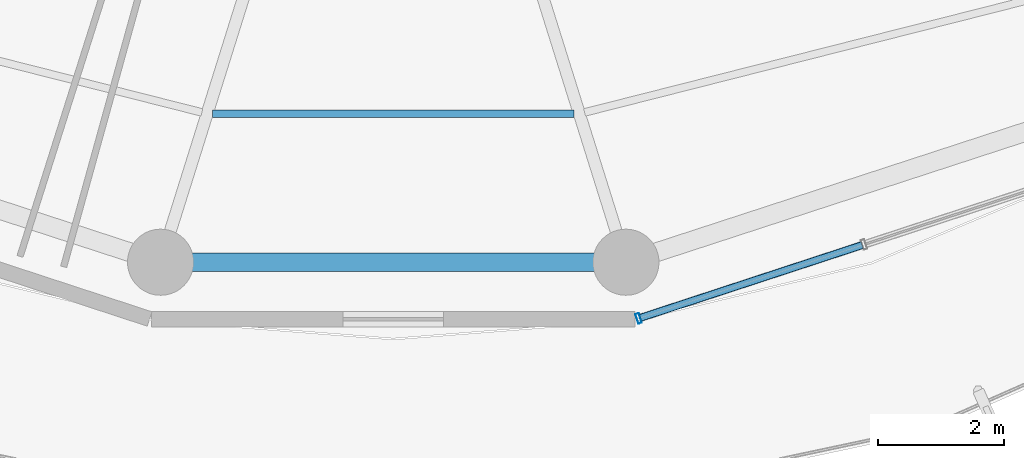
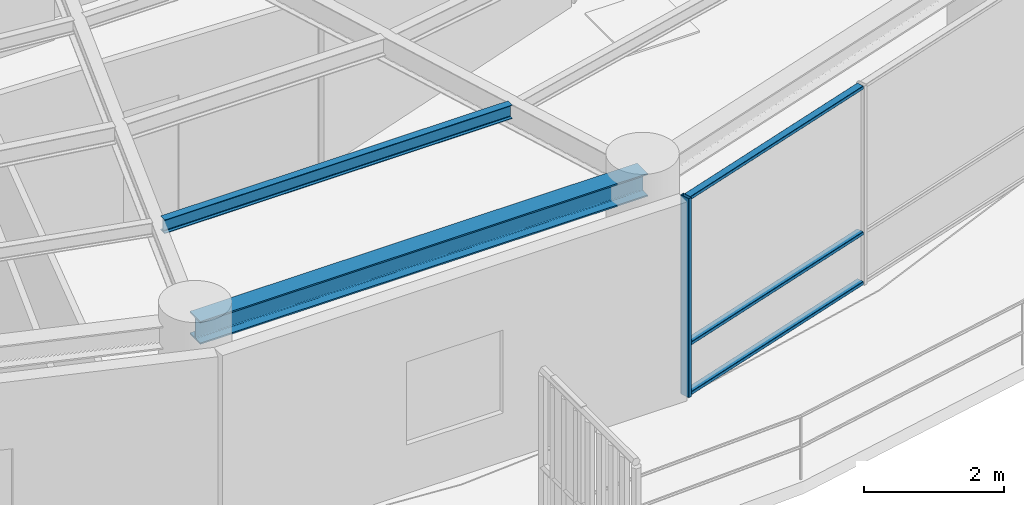
# One storey, part 4 of 31: 4 members, 2 beams, 1 element without a shape of its own.
"""IFC4 building model written with IfcOpenShell, lengths in metres."""

from ifc_helpers import new_model, si_unit, direction, frame, origin, origin_2d, place, context, subcontext, project, spatial, hollow_rectangle, i_section, extrude, material, layer, layer_set, material_profile, profile_set, type_object, element, aggregate, save


model = new_model("IFC4")

# Units and contexts
model_context = context("Model", 3, precision=1e-05, world=origin(), true_north=direction((0.0, 1.0)))
body_context = subcontext(model_context, "Body", "Model", "MODEL_VIEW")
ifc_project = project(units=[si_unit("LENGTHUNIT", "METRE"), si_unit("AREAUNIT", "SQUARE_METRE"), si_unit("VOLUMEUNIT", "CUBIC_METRE"), si_unit("PLANEANGLEUNIT", "RADIAN"), si_unit("MASSUNIT", "GRAM", prefix="KILO")], contexts=[model_context])

# Site, building, storey
site_placement = place(None, origin())
site = spatial("IfcSite", under=ifc_project, at=site_placement, CompositionType="ELEMENT")
building_placement = place(site_placement, origin())
building = spatial("IfcBuilding", under=site, at=building_placement, Name="Kelanora Arch Commons", CompositionType="ELEMENT")
storey_placement = place(building_placement, frame((0.0, 0.0, 223.199951171875)))
storey = spatial("IfcBuildingStorey", under=building, at=storey_placement, Name="L57", CompositionType="ELEMENT", Elevation=223.199951171875)

# Beams
ifc_material_1 = material(Name="Steel S355", Category="steel")
ifc_material_profile_1 = material_profile(ifc_material_1, i_section(OverallWidth=0.1201171875, OverallDepth=0.239990234375, WebThickness=0.006103515625, FlangeThickness=0.009765625, FilletRadius=0.014892578125, at=origin_2d()), Name="IPE240")
ifc_profile_set_1 = profile_set([ifc_material_profile_1], Name="Steel S355")
beam_type_1 = type_object("IfcBeamType", Name="BM-JST-02", PredefinedType="JOIST", material=ifc_profile_set_1)
beam_1_placement = place(storey_placement, frame((71.12890625, 41.56787109375, 3.3701171875), z_axis=(1.0, 0.0, 0.0), x_axis=(0.0, 1.0, 0.0)))
element("IfcBeam", 1, at=beam_1_placement, inside=storey, type_object=beam_type_1, Name="Secondary Chord Joist BJC-26 L57", PredefinedType="JOIST", context=body_context, shape_type="SweptSolid", body=[
    extrude(i_section(OverallWidth=0.1201171875, OverallDepth=0.239990234375, WebThickness=0.006103515625, FlangeThickness=0.009765625, FilletRadius=0.014892578125, at=origin_2d()), origin(), (0.0, 0.0, 1.0), 5.7421875),
])
ifc_material_profile_2 = material_profile(ifc_material_1, i_section(OverallWidth=0.300048828125, OverallDepth=0.39990234375, WebThickness=0.013427734375, FlangeThickness=0.02392578125, FilletRadius=0.027099609375, at=origin_2d()), Name="HEB400")
ifc_profile_set_2 = profile_set([ifc_material_profile_2], Name="Steel S355")
beam_type_2 = type_object("IfcBeamType", Name="BM-SPN-Z4", PredefinedType="SPANDREL", material=ifc_profile_set_2)
beam_2_placement = place(storey_placement, frame((70.3046875, 39.2099609375, 3.2900390625), z_axis=(1.0, 0.0, 0.0), x_axis=(0.0, 1.0, 0.0)))
element("IfcBeam", 2, at=beam_2_placement, inside=storey, type_object=beam_type_2, Name="Perimeter Spandrel Beam BS-26 L57", PredefinedType="SPANDREL", context=body_context, shape_type="SweptSolid", body=[
    extrude(i_section(OverallWidth=0.300048828125, OverallDepth=0.39990234375, WebThickness=0.013427734375, FlangeThickness=0.02392578125, FilletRadius=0.027099609375, at=origin_2d()), origin(), (0.0, 0.0, 1.0), 7.390625),
])

# Curtain wall, members
ifc_material_2 = material(Name="Terracotta ceramic-fritted low-E glass and aluminium", Category="masonry")
ifc_layer = layer(ifc_material_2, 0.175048828125)
ifc_layer_set = layer_set([ifc_layer], Name="Terracotta ceramic-fritted low-E glass and aluminium")
curtain_wall_type = type_object("IfcCurtainWallType", Name="CW-SYS-02", PredefinedType="NOTDEFINED", material=ifc_layer_set)
curtain_wall_placement = place(storey_placement, origin())
curtain_wall = element("IfcCurtainWall", 3, at=curtain_wall_placement, inside=storey, type_object=curtain_wall_type, Name="Unitised Curtain Wall L57-B14", PredefinedType="NOTDEFINED")
ifc_material_3 = material(Name="Powder-coated aluminium terracotta", Category="masonry")
ifc_material_profile_3 = material_profile(ifc_material_3, hollow_rectangle(XDim=0.159912109375, YDim=0.06005859375, WallThickness=0.0048828125, InnerFilletRadius=0.0048828125, OuterFilletRadius=0.010009765625, at=origin_2d()), Name="CWM160x60")
ifc_profile_set_3 = profile_set([ifc_material_profile_3], Name="Powder-coated aluminium terracotta")
member_type_1 = type_object("IfcMemberType", Name="CWM-STD", PredefinedType="MULLION", material=ifc_profile_set_3)
member_1_placement = place(storey_placement, frame((77.897705078125, 38.31787109375, 0.0), z_axis=(0.0, 0.0, 1.0), x_axis=(-0.311582439059, 0.950219124029, 0.0)))
member_1 = element("IfcMember", 4, at=member_1_placement, type_object=member_type_1, Name="CW-02 mullion 1", PredefinedType="MULLION", context=body_context, shape_type="SweptSolid", body=[
    extrude(hollow_rectangle(XDim=0.159912109375, YDim=0.06005859375, WallThickness=0.0048828125, InnerFilletRadius=0.0048828125, OuterFilletRadius=0.010009765625, at=origin_2d()), origin(), (0.0, 0.0, 1.0), 3.47509765625),
])
ifc_material_profile_4 = material_profile(ifc_material_3, hollow_rectangle(XDim=0.1201171875, YDim=0.06005859375, WallThickness=0.0048828125, InnerFilletRadius=0.0048828125, OuterFilletRadius=0.010009765625, at=origin_2d()), Name="CWT120x60")
ifc_profile_set_4 = profile_set([ifc_material_profile_4], Name="Powder-coated aluminium terracotta")
member_type_2 = type_object("IfcMemberType", Name="CWT-STD", PredefinedType="USERDEFINED", material=ifc_profile_set_4)
member_2_placement = place(storey_placement, frame((77.92626953125, 38.3271484375, 0.030029296875), z_axis=(0.950206527055, 0.311620852867, 0.0), x_axis=(-0.311620852867, 0.950206527055, 0.0)))
member_2 = element("IfcMember", 5, at=member_2_placement, type_object=member_type_2, Name="CW-02 transom 1.1", ObjectType="TRANSOM", PredefinedType="USERDEFINED", context=body_context, shape_type="SweptSolid", body=[
    extrude(hollow_rectangle(XDim=0.1201171875, YDim=0.06005859375, WallThickness=0.0048828125, InnerFilletRadius=0.0048828125, OuterFilletRadius=0.010009765625, at=origin_2d()), origin(), (0.0, 0.0, 1.0), 3.707275390625),
])
member_3_placement = place(storey_placement, frame((77.92626953125, 38.3271484375, 0.900146484375), z_axis=(0.950206527055, 0.311620852867, 0.0), x_axis=(-0.311620852867, 0.950206527055, 0.0)))
member_3 = element("IfcMember", 6, at=member_3_placement, type_object=member_type_2, Name="CW-02 transom 1.2", ObjectType="TRANSOM", PredefinedType="USERDEFINED", context=body_context, shape_type="SweptSolid", body=[
    extrude(hollow_rectangle(XDim=0.1201171875, YDim=0.06005859375, WallThickness=0.0048828125, InnerFilletRadius=0.0048828125, OuterFilletRadius=0.010009765625, at=origin_2d()), origin(), (0.0, 0.0, 1.0), 3.707275390625),
])
member_4_placement = place(storey_placement, frame((77.92626953125, 38.3271484375, 3.445068359375), z_axis=(0.950206527055, 0.311620852867, 0.0), x_axis=(-0.311620852867, 0.950206527055, 0.0)))
member_4 = element("IfcMember", 7, at=member_4_placement, type_object=member_type_2, Name="CW-02 transom 1.3", ObjectType="TRANSOM", PredefinedType="USERDEFINED", context=body_context, shape_type="SweptSolid", body=[
    extrude(hollow_rectangle(XDim=0.1201171875, YDim=0.06005859375, WallThickness=0.0048828125, InnerFilletRadius=0.0048828125, OuterFilletRadius=0.010009765625, at=origin_2d()), origin(), (0.0, 0.0, 1.0), 3.707275390625),
])
aggregate(curtain_wall, [member_1, member_2, member_3, member_4])

save(model, "model.ifc")
